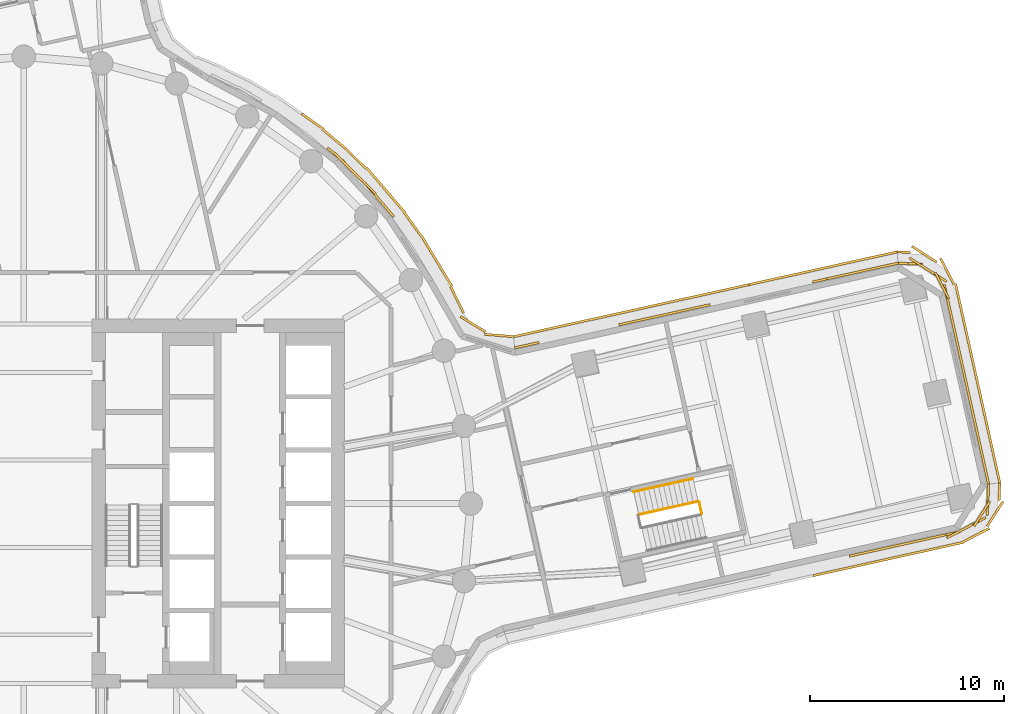
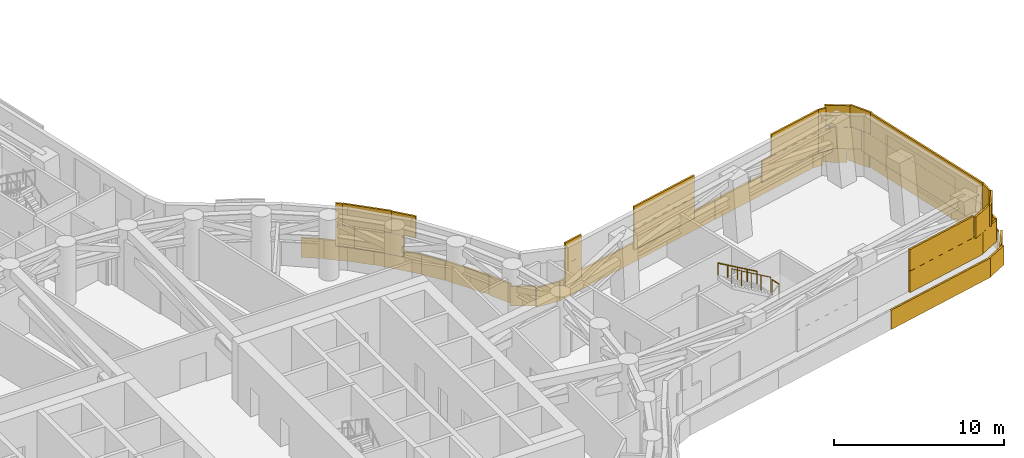
# One storey, part 20 of 22: 5 coverings, 3 railings.
"""IFC4 building model written with IfcOpenShell, lengths in metres."""

from ifc_helpers import new_model, si_unit, direction, frame, origin, origin_2d, place, context, subcontext, project, spatial, rectangle, circle, extrude, material, layer, layer_set, type_object, element, save


model = new_model("IFC4")

# Units and contexts
model_context = context("Model", 3, precision=1e-05, world=origin(), true_north=direction((0.0, 1.0)))
body_context = subcontext(model_context, "Body", "Model", "MODEL_VIEW")
ifc_project = project(units=[si_unit("LENGTHUNIT", "METRE"), si_unit("AREAUNIT", "SQUARE_METRE"), si_unit("VOLUMEUNIT", "CUBIC_METRE"), si_unit("PLANEANGLEUNIT", "RADIAN"), si_unit("MASSUNIT", "GRAM", prefix="KILO")], contexts=[model_context])

# Site, building, storey
site_placement = place(None, origin())
site = spatial("IfcSite", under=ifc_project, at=site_placement, CompositionType="ELEMENT")
building_placement = place(site_placement, origin())
building = spatial("IfcBuilding", under=site, at=building_placement, Name="Tamarind Cross Interchange Tower", CompositionType="ELEMENT")
storey_placement = place(building_placement, frame((0.0, 0.0, 79.0)))
storey = spatial("IfcBuildingStorey", under=building, at=storey_placement, Name="L18", CompositionType="ELEMENT", Elevation=79.0)

# Railings
ifc_material_1 = material(Name="Stair guard")
railing_type_1 = type_object("IfcRailingType", Name="Stair guard", PredefinedType="GUARDRAIL", material=ifc_material_1)
railing_1_placement = place(storey_placement, frame((34.888916015625, -0.514404296875, 2.25)))
element("IfcRailing", 1, at=railing_1_placement, inside=storey, type_object=railing_type_1, Name="L18 ST3 stair guard 2", PredefinedType="GUARDRAIL", context=body_context, shape_type="SweptSolid", body=[
    extrude(circle(Radius=0.02392578125, at=origin_2d()), frame((0.0, 0.0, 1.076171875), z_axis=(-0.216887372157, 0.976196633778, 0.0), x_axis=(-0.976196633778, -0.216887372157, 0.0)), (0.0, 0.0, 1.0), 0.599853515625),
    extrude(circle(Radius=0.02099609375, at=origin_2d()), origin(), (0.0, 0.0, 1.0), 1.052001953125),
    extrude(circle(Radius=0.02099609375, at=origin_2d()), frame((-0.130126953125, 0.585693359375, 0.0)), (0.0, 0.0, 1.0), 1.052001953125),
])
railing_2_placement = place(storey_placement, frame((34.698974609375, 0.109375, 2.423095703125)))
element("IfcRailing", 2, at=railing_2_placement, inside=storey, type_object=railing_type_1, Name="L18 ST3 stair guard 3", PredefinedType="GUARDRAIL", context=body_context, shape_type="SweptSolid", body=[
    extrude(circle(Radius=0.02392578125, at=origin_2d()), frame((0.0, 0.0, 1.076171875), z_axis=(-0.812565500343, -0.180700392653, 0.554152213518), x_axis=(0.217079600269, -0.976153905461, 0.0)), (0.0, 0.0, 1.0), 3.747802734375),
    extrude(circle(Radius=0.02099609375, at=origin_2d()), origin(), (0.0, 0.0, 1.0), 1.052001953125),
    extrude(circle(Radius=0.02099609375, at=origin_2d()), frame((-0.76123046875, -0.16943359375, 0.519287109375)), (0.0, 0.0, 1.0), 1.052001953125),
    extrude(circle(Radius=0.02099609375, at=origin_2d()), frame((-1.522705078125, -0.338623046875, 1.03857421875)), (0.0, 0.0, 1.0), 1.052001953125),
    extrude(circle(Radius=0.02099609375, at=origin_2d()), frame((-2.2841796875, -0.5078125, 1.5576171875)), (0.0, 0.0, 1.0), 1.052001953125),
    extrude(circle(Radius=0.02099609375, at=origin_2d()), frame((-3.04541015625, -0.67724609375, 2.076904296875)), (0.0, 0.0, 1.0), 1.052001953125),
])
ifc_material_2 = material(Name="Stair handrail")
railing_type_2 = type_object("IfcRailingType", Name="Stair handrail", PredefinedType="HANDRAIL", material=ifc_material_2)
railing_3_placement = place(storey_placement, frame((34.4384765625, 1.28076171875, 2.423095703125)))
element("IfcRailing", 3, at=railing_3_placement, inside=storey, type_object=railing_type_2, Name="L18 ST3 stair handrail 2", PredefinedType="HANDRAIL", context=body_context, shape_type="SweptSolid", body=[
    extrude(circle(Radius=0.02392578125, at=origin_2d()), frame((0.0, 0.0, 0.8759765625), z_axis=(-0.812565500343, -0.180700392653, 0.554152213518), x_axis=(0.217079600269, -0.976153905461, 0.0)), (0.0, 0.0, 1.0), 3.747802734375),
    extrude(circle(Radius=0.02099609375, at=origin_2d()), origin(), (0.0, 0.0, 1.0), 0.851806640625),
    extrude(circle(Radius=0.02099609375, at=origin_2d()), frame((-0.76123046875, -0.16943359375, 0.519287109375)), (0.0, 0.0, 1.0), 0.851806640625),
    extrude(circle(Radius=0.02099609375, at=origin_2d()), frame((-1.522705078125, -0.338623046875, 1.03857421875)), (0.0, 0.0, 1.0), 0.851806640625),
    extrude(circle(Radius=0.02099609375, at=origin_2d()), frame((-2.2841796875, -0.5078125, 1.5576171875)), (0.0, 0.0, 1.0), 0.851806640625),
    extrude(circle(Radius=0.02099609375, at=origin_2d()), frame((-3.04541015625, -0.67724609375, 2.076904296875)), (0.0, 0.0, 1.0), 0.851806640625),
])

# Coverings
ifc_material_3 = material(Name="Terracotta", Category="masonry")
ifc_layer = layer(ifc_material_3, 0.1201171875)
ifc_layer_set = layer_set([ifc_layer], Name="Terracotta")
covering_type = type_object("IfcCoveringType", Name="Terracotta baguette screen unit", PredefinedType="MOLDING", material=ifc_layer_set)
covering_1_placement = place(storey_placement, origin())
element("IfcCovering", 4, at=covering_1_placement, inside=storey, type_object=covering_type, Name="SCR-L18-07-02", PredefinedType="MOLDING", context=body_context, shape_type="SweptSolid", body=[
    extrude(rectangle(XDim=1.331787109375, YDim=0.1201171875, at=origin_2d()), frame((43.132568359375, -2.563720703125, 1.404052734375), z_axis=(0.0, 0.0, 1.0), x_axis=(0.976153759752, 0.217080255487, 0.0)), (0.0, 0.0, 1.0), 1.5419921875),
    extrude(rectangle(XDim=1.52001953125, YDim=0.1201171875, at=origin_2d()), frame((44.509765625, -2.25732421875, 1.404052734375), z_axis=(0.0, 0.0, 1.0), x_axis=(0.976153759752, 0.217080255487, 0.0)), (0.0, 0.0, 1.0), 1.5419921875),
    extrude(rectangle(XDim=1.52001953125, YDim=0.1201171875, at=origin_2d()), frame((45.97412109375, -1.931884765625, 1.404052734375), z_axis=(0.0, 0.0, 1.0), x_axis=(0.976153759752, 0.217080255487, 0.0)), (0.0, 0.0, 1.0), 1.5419921875),
    extrude(rectangle(XDim=1.52001953125, YDim=0.1201171875, at=origin_2d()), frame((47.438232421875, -1.606201171875, 1.404052734375), z_axis=(0.0, 0.0, 1.0), x_axis=(0.976153759752, 0.217080255487, 0.0)), (0.0, 0.0, 1.0), 1.5419921875),
    extrude(rectangle(XDim=1.52001953125, YDim=0.1201171875, at=origin_2d()), frame((48.826171875, -1.0712890625, 1.404052734375), z_axis=(0.0, 0.0, 1.0), x_axis=(0.886707622538, 0.462330609125, 0.0)), (0.0, 0.0, 1.0), 1.5419921875),
    extrude(rectangle(XDim=1.52001953125, YDim=0.1201171875, at=origin_2d()), frame((49.60986328125, 0.141845703125, 1.404052734375), z_axis=(0.0, 0.0, 1.0), x_axis=(0.04296375882, 0.999076631409, 0.0)), (0.0, 0.0, 1.0), 1.5419921875),
    extrude(rectangle(XDim=0.133056640625, YDim=0.1201171875, at=origin_2d()), frame((49.644775390625, 0.95263671875, 1.404052734375), z_axis=(0.0, 0.0, 1.0), x_axis=(0.04296375882, 0.999076631409, 0.0)), (0.0, 0.0, 1.0), 1.5419921875),
    extrude(rectangle(XDim=0.581787109375, YDim=0.1201171875, at=origin_2d()), frame((42.7666015625, -2.64501953125, 2.9541015625), z_axis=(0.0, 0.0, 1.0), x_axis=(0.976153759752, 0.217080255487, 0.0)), (0.0, 0.0, 1.0), 1.5419921875),
    extrude(rectangle(XDim=1.52001953125, YDim=0.1201171875, at=origin_2d()), frame((43.77783203125, -2.420166015625, 2.9541015625), z_axis=(0.0, 0.0, 1.0), x_axis=(0.976153759752, 0.217080255487, 0.0)), (0.0, 0.0, 1.0), 1.5419921875),
    extrude(rectangle(XDim=1.52001953125, YDim=0.1201171875, at=origin_2d()), frame((45.241943359375, -2.094482421875, 2.9541015625), z_axis=(0.0, 0.0, 1.0), x_axis=(0.976153759752, 0.217080255487, 0.0)), (0.0, 0.0, 1.0), 1.5419921875),
    extrude(rectangle(XDim=1.52001953125, YDim=0.1201171875, at=origin_2d()), frame((46.706298828125, -1.76904296875, 2.9541015625), z_axis=(0.0, 0.0, 1.0), x_axis=(0.976153759752, 0.217080255487, 0.0)), (0.0, 0.0, 1.0), 1.5419921875),
    extrude(rectangle(XDim=1.52001953125, YDim=0.1201171875, at=origin_2d()), frame((48.1611328125, -1.41796875, 2.9541015625), z_axis=(0.0, 0.0, 1.0), x_axis=(0.886707622538, 0.462330609125, 0.0)), (0.0, 0.0, 1.0), 1.5419921875),
    extrude(rectangle(XDim=1.52001953125, YDim=0.1201171875, at=origin_2d()), frame((49.30517578125, -0.521728515625, 2.9541015625), z_axis=(0.0, 0.0, 1.0), x_axis=(0.536746022285, 0.843743863718, 0.0)), (0.0, 0.0, 1.0), 1.5419921875),
    extrude(rectangle(XDim=0.883056640625, YDim=0.1201171875, at=origin_2d()), frame((49.628662109375, 0.577880859375, 2.9541015625), z_axis=(0.0, 0.0, 1.0), x_axis=(0.04296375882, 0.999076631409, 0.0)), (0.0, 0.0, 1.0), 1.5419921875),
    extrude(rectangle(XDim=0.424072265625, YDim=0.1201171875, at=origin_2d()), frame((40.83935546875, -3.66162109375, 0.00390625), z_axis=(0.0, 0.0, 1.0), x_axis=(0.976153759752, 0.217080255487, 0.0)), (0.0, 0.0, 1.0), 1.39208984375),
    extrude(rectangle(XDim=1.52001953125, YDim=0.1201171875, at=origin_2d()), frame((41.7685546875, -3.455078125, 0.00390625), z_axis=(0.0, 0.0, 1.0), x_axis=(0.976153759752, 0.217080255487, 0.0)), (0.0, 0.0, 1.0), 1.39208984375),
    extrude(rectangle(XDim=1.52001953125, YDim=0.1201171875, at=origin_2d()), frame((43.23291015625, -3.12939453125, 0.00390625), z_axis=(0.0, 0.0, 1.0), x_axis=(0.976153759752, 0.217080255487, 0.0)), (0.0, 0.0, 1.0), 1.39208984375),
    extrude(rectangle(XDim=1.52001953125, YDim=0.1201171875, at=origin_2d()), frame((44.697021484375, -2.8037109375, 0.00390625), z_axis=(0.0, 0.0, 1.0), x_axis=(0.976153759752, 0.217080255487, 0.0)), (0.0, 0.0, 1.0), 1.39208984375),
    extrude(rectangle(XDim=1.52001953125, YDim=0.1201171875, at=origin_2d()), frame((46.161376953125, -2.478271484375, 0.00390625), z_axis=(0.0, 0.0, 1.0), x_axis=(0.976153759752, 0.217080255487, 0.0)), (0.0, 0.0, 1.0), 1.39208984375),
    extrude(rectangle(XDim=1.52001953125, YDim=0.1201171875, at=origin_2d()), frame((47.62548828125, -2.152587890625, 0.00390625), z_axis=(0.0, 0.0, 1.0), x_axis=(0.976153759752, 0.217080255487, 0.0)), (0.0, 0.0, 1.0), 1.39208984375),
    extrude(rectangle(XDim=1.52001953125, YDim=0.1201171875, at=origin_2d()), frame((49.014404296875, -1.62060546875, 0.00390625), z_axis=(0.0, 0.0, 1.0), x_axis=(0.886707622538, 0.462330609125, 0.0)), (0.0, 0.0, 1.0), 1.39208984375),
    extrude(rectangle(XDim=1.52001953125, YDim=0.1201171875, at=origin_2d()), frame((49.980224609375, -0.530029296875, 0.00390625), z_axis=(0.0, 0.0, 1.0), x_axis=(0.536746022285, 0.843743863718, 0.0)), (0.0, 0.0, 1.0), 1.39208984375),
    extrude(rectangle(XDim=0.91064453125, YDim=0.1201171875, at=origin_2d()), frame((50.204345703125, 0.60986328125, 0.00390625), z_axis=(0.0, 0.0, 1.0), x_axis=(0.04296375882, 0.999076631409, 0.0)), (0.0, 0.0, 1.0), 1.39208984375),
])
covering_2_placement = place(storey_placement, origin())
element("IfcCovering", 5, at=covering_2_placement, inside=storey, type_object=covering_type, Name="SCR-L18-08-00", PredefinedType="MOLDING", context=body_context, shape_type="SweptSolid", body=[
    extrude(rectangle(XDim=1.510009765625, YDim=0.1201171875, at=origin_2d()), frame((49.484619140625, 1.74609375, 1.404052734375), z_axis=(0.0, 0.0, 1.0), x_axis=(-0.217080255487, 0.976153759752, 0.0)), (0.0, 0.0, 1.0), 1.5419921875),
    extrude(rectangle(XDim=1.52001953125, YDim=0.1201171875, at=origin_2d()), frame((49.158935546875, 3.21044921875, 1.404052734375), z_axis=(0.0, 0.0, 1.0), x_axis=(-0.217080255487, 0.976153759752, 0.0)), (0.0, 0.0, 1.0), 1.5419921875),
    extrude(rectangle(XDim=1.52001953125, YDim=0.1201171875, at=origin_2d()), frame((48.833251953125, 4.674560546875, 1.404052734375), z_axis=(0.0, 0.0, 1.0), x_axis=(-0.217080255487, 0.976153759752, 0.0)), (0.0, 0.0, 1.0), 1.5419921875),
    extrude(rectangle(XDim=1.52001953125, YDim=0.1201171875, at=origin_2d()), frame((48.507568359375, 6.138916015625, 1.404052734375), z_axis=(0.0, 0.0, 1.0), x_axis=(-0.217080255487, 0.976153759752, 0.0)), (0.0, 0.0, 1.0), 1.5419921875),
    extrude(rectangle(XDim=1.52001953125, YDim=0.1201171875, at=origin_2d()), frame((48.18212890625, 7.60302734375, 1.404052734375), z_axis=(0.0, 0.0, 1.0), x_axis=(-0.217080255487, 0.976153759752, 0.0)), (0.0, 0.0, 1.0), 1.5419921875),
    extrude(rectangle(XDim=1.52001953125, YDim=0.1201171875, at=origin_2d()), frame((47.8564453125, 9.0673828125, 1.404052734375), z_axis=(0.0, 0.0, 1.0), x_axis=(-0.217080255487, 0.976153759752, 0.0)), (0.0, 0.0, 1.0), 1.5419921875),
    extrude(rectangle(XDim=1.52001953125, YDim=0.1201171875, at=origin_2d()), frame((47.53076171875, 10.531494140625, 1.404052734375), z_axis=(0.0, 0.0, 1.0), x_axis=(-0.217080255487, 0.976153759752, 0.0)), (0.0, 0.0, 1.0), 1.5419921875),
    extrude(rectangle(XDim=1.52001953125, YDim=0.1201171875, at=origin_2d()), frame((46.84521484375, 11.831787109375, 1.404052734375), z_axis=(0.0, 0.0, 1.0), x_axis=(-0.843743863718, 0.536746022285, 0.0)), (0.0, 0.0, 1.0), 1.5419921875),
    extrude(rectangle(XDim=1.259521484375, YDim=0.1201171875, at=origin_2d()), frame((45.615966796875, 12.349365234375, 1.404052734375), z_axis=(0.0, 0.0, 1.0), x_axis=(-0.999076631409, 0.04296375882, 0.0)), (0.0, 0.0, 1.0), 1.5419921875),
    extrude(rectangle(XDim=0.760009765625, YDim=0.1201171875, at=origin_2d()), frame((49.56591796875, 1.380126953125, 2.9541015625), z_axis=(0.0, 0.0, 1.0), x_axis=(-0.217080255487, 0.976153759752, 0.0)), (0.0, 0.0, 1.0), 1.5419921875),
    extrude(rectangle(XDim=1.52001953125, YDim=0.1201171875, at=origin_2d()), frame((49.32177734375, 2.478271484375, 2.9541015625), z_axis=(0.0, 0.0, 1.0), x_axis=(-0.217080255487, 0.976153759752, 0.0)), (0.0, 0.0, 1.0), 1.5419921875),
    extrude(rectangle(XDim=1.52001953125, YDim=0.1201171875, at=origin_2d()), frame((48.99609375, 3.9423828125, 2.9541015625), z_axis=(0.0, 0.0, 1.0), x_axis=(-0.217080255487, 0.976153759752, 0.0)), (0.0, 0.0, 1.0), 1.5419921875),
    extrude(rectangle(XDim=1.52001953125, YDim=0.1201171875, at=origin_2d()), frame((48.67041015625, 5.40673828125, 2.9541015625), z_axis=(0.0, 0.0, 1.0), x_axis=(-0.217080255487, 0.976153759752, 0.0)), (0.0, 0.0, 1.0), 1.5419921875),
    extrude(rectangle(XDim=1.52001953125, YDim=0.1201171875, at=origin_2d()), frame((48.3447265625, 6.870849609375, 2.9541015625), z_axis=(0.0, 0.0, 1.0), x_axis=(-0.217080255487, 0.976153759752, 0.0)), (0.0, 0.0, 1.0), 1.5419921875),
    extrude(rectangle(XDim=1.52001953125, YDim=0.1201171875, at=origin_2d()), frame((48.019287109375, 8.335205078125, 2.9541015625), z_axis=(0.0, 0.0, 1.0), x_axis=(-0.217080255487, 0.976153759752, 0.0)), (0.0, 0.0, 1.0), 1.5419921875),
    extrude(rectangle(XDim=1.52001953125, YDim=0.1201171875, at=origin_2d()), frame((47.693603515625, 9.79931640625, 2.9541015625), z_axis=(0.0, 0.0, 1.0), x_axis=(-0.217080255487, 0.976153759752, 0.0)), (0.0, 0.0, 1.0), 1.5419921875),
    extrude(rectangle(XDim=1.52001953125, YDim=0.1201171875, at=origin_2d()), frame((47.251220703125, 11.220947265625, 2.9541015625), z_axis=(0.0, 0.0, 1.0), x_axis=(-0.462330609125, 0.886707622538, 0.0)), (0.0, 0.0, 1.0), 1.5419921875),
    extrude(rectangle(XDim=1.52001953125, YDim=0.1201171875, at=origin_2d()), frame((46.21240234375, 12.234375, 2.9541015625), z_axis=(0.0, 0.0, 1.0), x_axis=(-0.843743863718, 0.536746022285, 0.0)), (0.0, 0.0, 1.0), 1.5419921875),
    extrude(rectangle(XDim=0.509521484375, YDim=0.1201171875, at=origin_2d()), frame((45.2412109375, 12.365478515625, 2.9541015625), z_axis=(0.0, 0.0, 1.0), x_axis=(-0.999076631409, 0.04296375882, 0.0)), (0.0, 0.0, 1.0), 1.5419921875),
    extrude(rectangle(XDim=1.510009765625, YDim=0.1201171875, at=origin_2d()), frame((50.06005859375, 1.8017578125, 0.00390625), z_axis=(0.0, 0.0, 1.0), x_axis=(-0.217080255487, 0.976153759752, 0.0)), (0.0, 0.0, 1.0), 1.39208984375),
    extrude(rectangle(XDim=1.52001953125, YDim=0.1201171875, at=origin_2d()), frame((49.735595703125, 3.26123046875, 0.00390625), z_axis=(0.0, 0.0, 1.0), x_axis=(-0.217080255487, 0.976153759752, 0.0)), (0.0, 0.0, 1.0), 1.39208984375),
    extrude(rectangle(XDim=1.52001953125, YDim=0.1201171875, at=origin_2d()), frame((49.409912109375, 4.725341796875, 0.00390625), z_axis=(0.0, 0.0, 1.0), x_axis=(-0.217080255487, 0.976153759752, 0.0)), (0.0, 0.0, 1.0), 1.39208984375),
    extrude(rectangle(XDim=1.52001953125, YDim=0.1201171875, at=origin_2d()), frame((49.08447265625, 6.189697265625, 0.00390625), z_axis=(0.0, 0.0, 1.0), x_axis=(-0.217080255487, 0.976153759752, 0.0)), (0.0, 0.0, 1.0), 1.39208984375),
    extrude(rectangle(XDim=1.52001953125, YDim=0.1201171875, at=origin_2d()), frame((48.7587890625, 7.65380859375, 0.00390625), z_axis=(0.0, 0.0, 1.0), x_axis=(-0.217080255487, 0.976153759752, 0.0)), (0.0, 0.0, 1.0), 1.39208984375),
    extrude(rectangle(XDim=1.52001953125, YDim=0.1201171875, at=origin_2d()), frame((48.43310546875, 9.1181640625, 0.00390625), z_axis=(0.0, 0.0, 1.0), x_axis=(-0.217080255487, 0.976153759752, 0.0)), (0.0, 0.0, 1.0), 1.39208984375),
    extrude(rectangle(XDim=1.52001953125, YDim=0.1201171875, at=origin_2d()), frame((48.107421875, 10.582275390625, 0.00390625), z_axis=(0.0, 0.0, 1.0), x_axis=(-0.217080255487, 0.976153759752, 0.0)), (0.0, 0.0, 1.0), 1.39208984375),
    extrude(rectangle(XDim=1.52001953125, YDim=0.1201171875, at=origin_2d()), frame((47.518310546875, 11.950439453125, 0.00390625), z_axis=(0.0, 0.0, 1.0), x_axis=(-0.462330609125, 0.886707622538, 0.0)), (0.0, 0.0, 1.0), 1.39208984375),
    extrude(rectangle(XDim=1.52001953125, YDim=0.1201171875, at=origin_2d()), frame((46.338623046875, 12.83447265625, 0.00390625), z_axis=(0.0, 0.0, 1.0), x_axis=(-0.843743863718, 0.536746022285, 0.0)), (0.0, 0.0, 1.0), 1.39208984375),
    extrude(rectangle(XDim=0.6767578125, YDim=0.1201171875, at=origin_2d()), frame((45.279296875, 12.938232421875, 0.00390625), z_axis=(0.0, 0.0, 1.0), x_axis=(-0.999076631409, 0.04296375882, 0.0)), (0.0, 0.0, 1.0), 1.39208984375),
])
covering_3_placement = place(storey_placement, origin())
element("IfcCovering", 6, at=covering_3_placement, inside=storey, type_object=covering_type, Name="SCR-L18-09-00", PredefinedType="MOLDING", context=body_context, shape_type="SweptSolid", body=[
    extrude(rectangle(XDim=1.510009765625, YDim=0.1201171875, at=origin_2d()), frame((44.25927734375, 12.21435546875, 1.404052734375), z_axis=(0.0, 0.0, 1.0), x_axis=(-0.976433232523, -0.21581969888, 0.0)), (0.0, 0.0, 1.0), 1.5419921875),
    extrude(rectangle(XDim=1.52001953125, YDim=0.1201171875, at=origin_2d()), frame((42.794677734375, 11.890625, 1.404052734375), z_axis=(0.0, 0.0, 1.0), x_axis=(-0.976433232523, -0.21581969888, 0.0)), (0.0, 0.0, 1.0), 1.5419921875),
    extrude(rectangle(XDim=1.52001953125, YDim=0.1201171875, at=origin_2d()), frame((41.330078125, 11.56689453125, 1.404052734375), z_axis=(0.0, 0.0, 1.0), x_axis=(-0.976433232523, -0.21581969888, 0.0)), (0.0, 0.0, 1.0), 1.5419921875),
    extrude(rectangle(XDim=0.760009765625, YDim=0.1201171875, at=origin_2d()), frame((44.62548828125, 12.295166015625, 2.9541015625), z_axis=(0.0, 0.0, 1.0), x_axis=(-0.976433232523, -0.21581969888, 0.0)), (0.0, 0.0, 1.0), 1.5419921875),
    extrude(rectangle(XDim=1.52001953125, YDim=0.1201171875, at=origin_2d()), frame((43.527099609375, 12.052490234375, 2.9541015625), z_axis=(0.0, 0.0, 1.0), x_axis=(-0.976433232523, -0.21581969888, 0.0)), (0.0, 0.0, 1.0), 1.5419921875),
    extrude(rectangle(XDim=1.52001953125, YDim=0.1201171875, at=origin_2d()), frame((42.0625, 11.728759765625, 2.9541015625), z_axis=(0.0, 0.0, 1.0), x_axis=(-0.976433232523, -0.21581969888, 0.0)), (0.0, 0.0, 1.0), 1.5419921875),
    extrude(rectangle(XDim=1.510009765625, YDim=0.1201171875, at=origin_2d()), frame((44.2041015625, 12.789794921875, 0.00390625), z_axis=(0.0, 0.0, 1.0), x_axis=(-0.976433232523, -0.21581969888, 0.0)), (0.0, 0.0, 1.0), 1.39208984375),
    extrude(rectangle(XDim=1.52001953125, YDim=0.1201171875, at=origin_2d()), frame((42.744384765625, 12.46728515625, 0.00390625), z_axis=(0.0, 0.0, 1.0), x_axis=(-0.976433232523, -0.21581969888, 0.0)), (0.0, 0.0, 1.0), 1.39208984375),
    extrude(rectangle(XDim=1.52001953125, YDim=0.1201171875, at=origin_2d()), frame((41.279541015625, 12.1435546875, 0.00390625), z_axis=(0.0, 0.0, 1.0), x_axis=(-0.976433232523, -0.21581969888, 0.0)), (0.0, 0.0, 1.0), 1.39208984375),
    extrude(rectangle(XDim=1.52001953125, YDim=0.1201171875, at=origin_2d()), frame((39.81494140625, 11.81982421875, 0.00390625), z_axis=(0.0, 0.0, 1.0), x_axis=(-0.976433232523, -0.21581969888, 0.0)), (0.0, 0.0, 1.0), 1.39208984375),
    extrude(rectangle(XDim=1.52001953125, YDim=0.1201171875, at=origin_2d()), frame((38.350341796875, 11.49609375, 0.00390625), z_axis=(0.0, 0.0, 1.0), x_axis=(-0.976433232523, -0.21581969888, 0.0)), (0.0, 0.0, 1.0), 1.39208984375),
    extrude(rectangle(XDim=0.3232421875, YDim=0.1201171875, at=origin_2d()), frame((37.469970703125, 11.301513671875, 0.00390625), z_axis=(0.0, 0.0, 1.0), x_axis=(-0.976433232523, -0.21581969888, 0.0)), (0.0, 0.0, 1.0), 1.39208984375),
])
covering_4_placement = place(storey_placement, origin())
element("IfcCovering", 7, at=covering_4_placement, inside=storey, type_object=covering_type, Name="SCR-L18-09-01", PredefinedType="MOLDING", context=body_context, shape_type="SweptSolid", body=[
    extrude(rectangle(XDim=0.592529296875, YDim=0.1201171875, at=origin_2d()), frame((35.023681640625, 10.1728515625, 1.404052734375), z_axis=(0.0, 0.0, 1.0), x_axis=(-0.976433232523, -0.21581969888, 0.0)), (0.0, 0.0, 1.0), 1.5419921875),
    extrude(rectangle(XDim=1.52001953125, YDim=0.1201171875, at=origin_2d()), frame((34.0068359375, 9.9482421875, 1.404052734375), z_axis=(0.0, 0.0, 1.0), x_axis=(-0.976433232523, -0.21581969888, 0.0)), (0.0, 0.0, 1.0), 1.5419921875),
    extrude(rectangle(XDim=1.52001953125, YDim=0.1201171875, at=origin_2d()), frame((32.542236328125, 9.62451171875, 1.404052734375), z_axis=(0.0, 0.0, 1.0), x_axis=(-0.976433232523, -0.21581969888, 0.0)), (0.0, 0.0, 1.0), 1.5419921875),
    extrude(rectangle(XDim=1.226806640625, YDim=0.1201171875, at=origin_2d()), frame((31.2158203125, 9.331298828125, 1.404052734375), z_axis=(0.0, 0.0, 1.0), x_axis=(-0.976433232523, -0.21581969888, 0.0)), (0.0, 0.0, 1.0), 1.5419921875),
    extrude(rectangle(XDim=0.59326171875, YDim=0.1201171875, at=origin_2d()), frame((26.236083984375, 8.230712890625, 1.404052734375), z_axis=(0.0, 0.0, 1.0), x_axis=(-0.976433232523, -0.21581969888, 0.0)), (0.0, 0.0, 1.0), 1.5419921875),
    extrude(rectangle(XDim=0.7265625, YDim=0.1201171875, at=origin_2d()), frame((25.6015625, 8.09033203125, 1.404052734375), z_axis=(0.0, 0.0, 1.0), x_axis=(-0.976433232523, -0.21581969888, 0.0)), (0.0, 0.0, 1.0), 1.5419921875),
    extrude(rectangle(XDim=1.342529296875, YDim=0.1201171875, at=origin_2d()), frame((34.657470703125, 10.092041015625, 2.9541015625), z_axis=(0.0, 0.0, 1.0), x_axis=(-0.976433232523, -0.21581969888, 0.0)), (0.0, 0.0, 1.0), 1.5419921875),
    extrude(rectangle(XDim=1.52001953125, YDim=0.1201171875, at=origin_2d()), frame((33.2744140625, 9.786376953125, 2.9541015625), z_axis=(0.0, 0.0, 1.0), x_axis=(-0.976433232523, -0.21581969888, 0.0)), (0.0, 0.0, 1.0), 1.5419921875),
    extrude(rectangle(XDim=1.52001953125, YDim=0.1201171875, at=origin_2d()), frame((31.809814453125, 9.462646484375, 2.9541015625), z_axis=(0.0, 0.0, 1.0), x_axis=(-0.976433232523, -0.21581969888, 0.0)), (0.0, 0.0, 1.0), 1.5419921875),
    extrude(rectangle(XDim=0.476806640625, YDim=0.1201171875, at=origin_2d()), frame((30.849609375, 9.250244140625, 2.9541015625), z_axis=(0.0, 0.0, 1.0), x_axis=(-0.976433232523, -0.21581969888, 0.0)), (0.0, 0.0, 1.0), 1.5419921875),
    extrude(rectangle(XDim=1.2998046875, YDim=0.1201171875, at=origin_2d()), frame((25.88623046875, 8.1533203125, 2.9541015625), z_axis=(0.0, 0.0, 1.0), x_axis=(-0.976433232523, -0.21581969888, 0.0)), (0.0, 0.0, 1.0), 1.5419921875),
    extrude(rectangle(XDim=1.19677734375, YDim=0.1201171875, at=origin_2d()), frame((36.727783203125, 11.137451171875, 0.00390625), z_axis=(0.0, 0.0, 1.0), x_axis=(-0.976433232523, -0.21581969888, 0.0)), (0.0, 0.0, 1.0), 1.39208984375),
    extrude(rectangle(XDim=1.52001953125, YDim=0.1201171875, at=origin_2d()), frame((35.4208984375, 10.8486328125, 0.00390625), z_axis=(0.0, 0.0, 1.0), x_axis=(-0.976433232523, -0.21581969888, 0.0)), (0.0, 0.0, 1.0), 1.39208984375),
    extrude(rectangle(XDim=1.52001953125, YDim=0.1201171875, at=origin_2d()), frame((33.956298828125, 10.52490234375, 0.00390625), z_axis=(0.0, 0.0, 1.0), x_axis=(-0.976433232523, -0.21581969888, 0.0)), (0.0, 0.0, 1.0), 1.39208984375),
    extrude(rectangle(XDim=1.52001953125, YDim=0.1201171875, at=origin_2d()), frame((32.49169921875, 10.201171875, 0.00390625), z_axis=(0.0, 0.0, 1.0), x_axis=(-0.976433232523, -0.21581969888, 0.0)), (0.0, 0.0, 1.0), 1.39208984375),
    extrude(rectangle(XDim=1.52001953125, YDim=0.1201171875, at=origin_2d()), frame((31.027099609375, 9.87744140625, 0.00390625), z_axis=(0.0, 0.0, 1.0), x_axis=(-0.976433232523, -0.21581969888, 0.0)), (0.0, 0.0, 1.0), 1.39208984375),
    extrude(rectangle(XDim=1.52001953125, YDim=0.1201171875, at=origin_2d()), frame((29.5625, 9.5537109375, 0.00390625), z_axis=(0.0, 0.0, 1.0), x_axis=(-0.976433232523, -0.21581969888, 0.0)), (0.0, 0.0, 1.0), 1.39208984375),
    extrude(rectangle(XDim=1.52001953125, YDim=0.1201171875, at=origin_2d()), frame((28.09765625, 9.22998046875, 0.00390625), z_axis=(0.0, 0.0, 1.0), x_axis=(-0.976433232523, -0.21581969888, 0.0)), (0.0, 0.0, 1.0), 1.39208984375),
    extrude(rectangle(XDim=1.52001953125, YDim=0.1201171875, at=origin_2d()), frame((26.633056640625, 8.90625, 0.00390625), z_axis=(0.0, 0.0, 1.0), x_axis=(-0.976433232523, -0.21581969888, 0.0)), (0.0, 0.0, 1.0), 1.39208984375),
    extrude(rectangle(XDim=0.715576171875, YDim=0.1201171875, at=origin_2d()), frame((25.561279296875, 8.66943359375, 0.00390625), z_axis=(0.0, 0.0, 1.0), x_axis=(-0.976433232523, -0.21581969888, 0.0)), (0.0, 0.0, 1.0), 1.39208984375),
])
covering_5_placement = place(storey_placement, origin())
element("IfcCovering", 8, at=covering_5_placement, inside=storey, type_object=covering_type, Name="SCR-L18-10-00", PredefinedType="MOLDING", context=body_context, shape_type="SweptSolid", body=[
    extrude(rectangle(XDim=1.52001953125, YDim=0.1201171875, at=origin_2d()), frame((18.062255859375, 15.906982421875, 1.404052734375), z_axis=(0.0, 0.0, 1.0), x_axis=(-0.64957723968, 0.760295606781, 0.0)), (0.0, 0.0, 1.0), 1.5419921875),
    extrude(rectangle(XDim=1.52001953125, YDim=0.1201171875, at=origin_2d()), frame((17.035400390625, 16.998779296875, 1.404052734375), z_axis=(0.0, 0.0, 1.0), x_axis=(-0.710143317658, 0.704057148523, 0.0)), (0.0, 0.0, 1.0), 1.5419921875),
    extrude(rectangle(XDim=1.179931640625, YDim=0.1201171875, at=origin_2d()), frame((16.07568359375, 17.92578125, 1.404052734375), z_axis=(0.0, 0.0, 1.0), x_axis=(-0.765858396687, 0.643009266048, 0.0)), (0.0, 0.0, 1.0), 1.5419921875),
    extrude(rectangle(XDim=1.52001953125, YDim=0.1201171875, at=origin_2d()), frame((18.549560546875, 15.336669921875, 2.9541015625), z_axis=(0.0, 0.0, 1.0), x_axis=(-0.64957723968, 0.760295606781, 0.0)), (0.0, 0.0, 1.0), 1.5419921875),
    extrude(rectangle(XDim=1.52001953125, YDim=0.1201171875, at=origin_2d()), frame((17.568115234375, 16.470703125, 2.9541015625), z_axis=(0.0, 0.0, 1.0), x_axis=(-0.710143317658, 0.704057148523, 0.0)), (0.0, 0.0, 1.0), 1.5419921875),
    extrude(rectangle(XDim=1.52001953125, YDim=0.1201171875, at=origin_2d()), frame((16.5029296875, 17.52685546875, 2.9541015625), z_axis=(0.0, 0.0, 1.0), x_axis=(-0.710143317658, 0.704057148523, 0.0)), (0.0, 0.0, 1.0), 1.5419921875),
    extrude(rectangle(XDim=0.429931640625, YDim=0.1201171875, at=origin_2d()), frame((15.78857421875, 18.1669921875, 2.9541015625), z_axis=(0.0, 0.0, 1.0), x_axis=(-0.765858396687, 0.643009266048, 0.0)), (0.0, 0.0, 1.0), 1.5419921875),
    extrude(rectangle(XDim=1.510009765625, YDim=0.1201171875, at=origin_2d()), frame((24.45947265625, 8.65283203125, 0.00390625), z_axis=(0.0, 0.0, 1.0), x_axis=(-0.996760840748, 0.080422797465, 0.0)), (0.0, 0.0, 1.0), 1.39208984375),
    extrude(rectangle(XDim=1.52001953125, YDim=0.1201171875, at=origin_2d()), frame((23.11767578125, 9.23193359375, 0.00390625), z_axis=(0.0, 0.0, 1.0), x_axis=(-0.854987393146, 0.518648780545, 0.0)), (0.0, 0.0, 1.0), 1.39208984375),
    extrude(rectangle(XDim=1.52001953125, YDim=0.1201171875, at=origin_2d()), frame((22.302001953125, 10.486328125, 0.00390625), z_axis=(0.0, 0.0, 1.0), x_axis=(-0.443199220162, 0.896423142967, 0.0)), (0.0, 0.0, 1.0), 1.39208984375),
    extrude(rectangle(XDim=1.52001953125, YDim=0.1201171875, at=origin_2d()), frame((21.63720703125, 11.8310546875, 0.00390625), z_axis=(0.0, 0.0, 1.0), x_axis=(-0.515577308909, 0.856843065292, 0.0)), (0.0, 0.0, 1.0), 1.39208984375),
    extrude(rectangle(XDim=1.52001953125, YDim=0.1201171875, at=origin_2d()), frame((20.86376953125, 13.1162109375, 0.00390625), z_axis=(0.0, 0.0, 1.0), x_axis=(-0.515577308909, 0.856843065292, 0.0)), (0.0, 0.0, 1.0), 1.39208984375),
    extrude(rectangle(XDim=1.52001953125, YDim=0.1201171875, at=origin_2d()), frame((20.024169921875, 14.357666015625, 0.00390625), z_axis=(0.0, 0.0, 1.0), x_axis=(-0.584573890505, 0.811340475102, 0.0)), (0.0, 0.0, 1.0), 1.39208984375),
    extrude(rectangle(XDim=1.52001953125, YDim=0.1201171875, at=origin_2d()), frame((19.11962890625, 15.552978515625, 0.00390625), z_axis=(0.0, 0.0, 1.0), x_axis=(-0.64957723968, 0.760295606781, 0.0)), (0.0, 0.0, 1.0), 1.39208984375),
    extrude(rectangle(XDim=1.52001953125, YDim=0.1201171875, at=origin_2d()), frame((18.145263671875, 16.693359375, 0.00390625), z_axis=(0.0, 0.0, 1.0), x_axis=(-0.64957723968, 0.760295606781, 0.0)), (0.0, 0.0, 1.0), 1.39208984375),
    extrude(rectangle(XDim=1.52001953125, YDim=0.1201171875, at=origin_2d()), frame((17.0869140625, 17.755859375, 0.00390625), z_axis=(0.0, 0.0, 1.0), x_axis=(-0.710143317658, 0.704057148523, 0.0)), (0.0, 0.0, 1.0), 1.39208984375),
    extrude(rectangle(XDim=1.52001953125, YDim=0.1201171875, at=origin_2d()), frame((15.974365234375, 18.76025390625, 0.00390625), z_axis=(0.0, 0.0, 1.0), x_axis=(-0.765858396687, 0.643009266048, 0.0)), (0.0, 0.0, 1.0), 1.39208984375),
    extrude(rectangle(XDim=1.376220703125, YDim=0.1201171875, at=origin_2d()), frame((14.86865234375, 19.6630859375, 0.00390625), z_axis=(0.0, 0.0, 1.0), x_axis=(-0.816341886298, 0.577568978284, 0.0)), (0.0, 0.0, 1.0), 1.39208984375),
])

save(model, "model.ifc")
